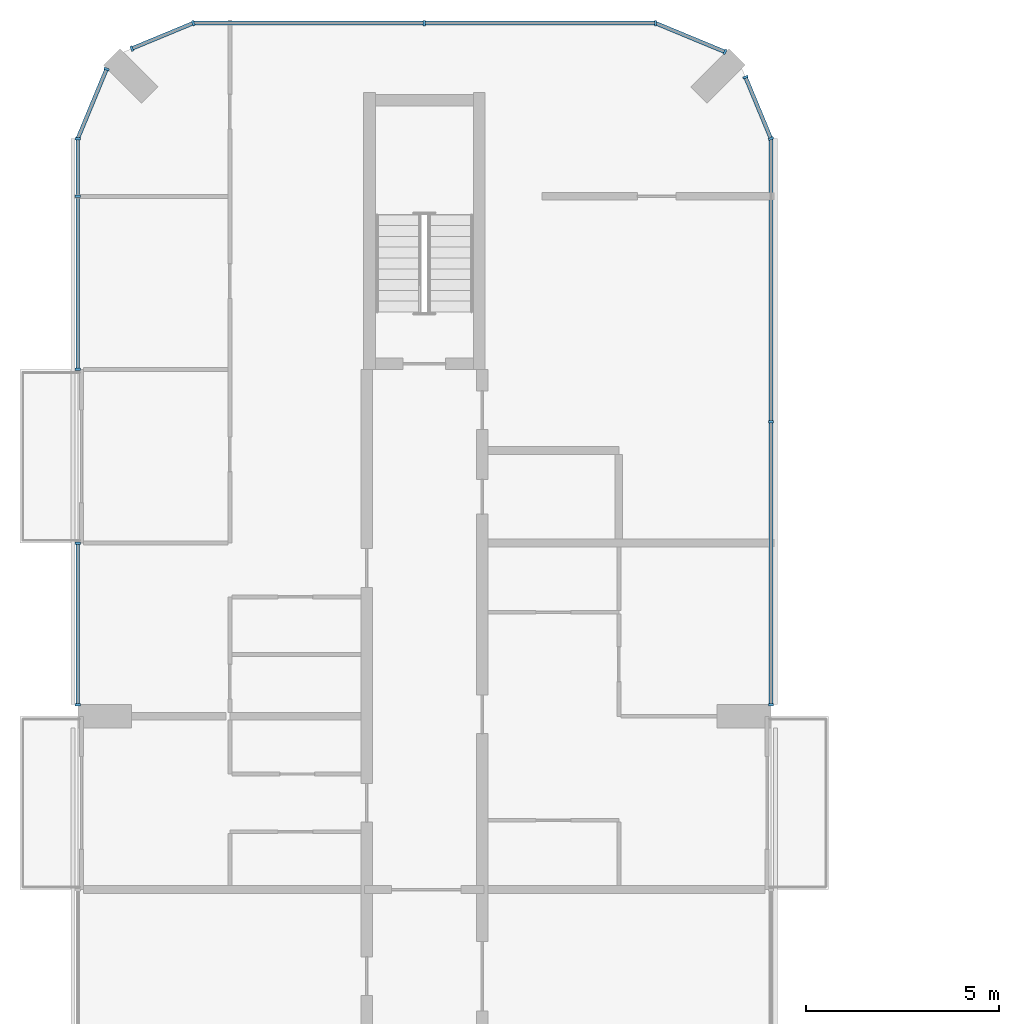
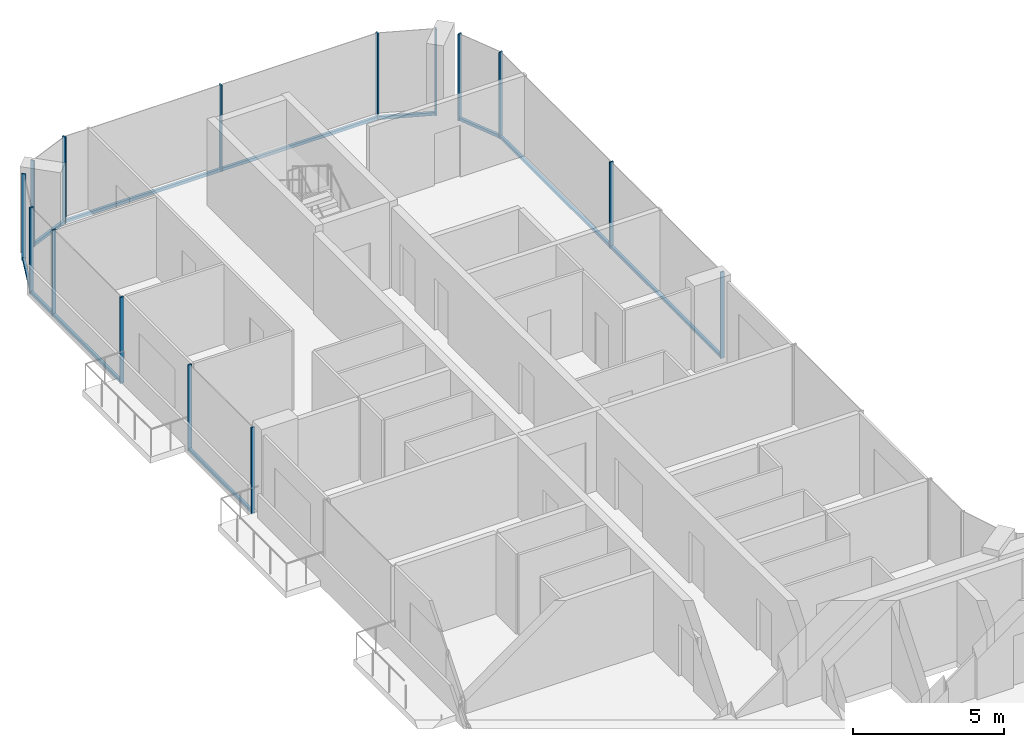
# One storey, part 7 of 16: 23 members, 8 elements without a shape of their own.
"""IFC4 building model written with IfcOpenShell, lengths in metres."""

from ifc_helpers import new_model, si_unit, direction, frame, origin, origin_2d, place, context, subcontext, project, spatial, rectangle, extrude, material, layer, layer_set, material_profile, profile_set, type_object, element, aggregate, save


model = new_model("IFC4")

# Units and contexts
model_context = context("Model", 3, precision=1e-05, world=origin(), true_north=direction((0.0, 1.0)))
body_context = subcontext(model_context, "Body", "Model", "MODEL_VIEW")
ifc_project = project(units=[si_unit("LENGTHUNIT", "METRE"), si_unit("AREAUNIT", "SQUARE_METRE"), si_unit("VOLUMEUNIT", "CUBIC_METRE"), si_unit("PLANEANGLEUNIT", "RADIAN"), si_unit("MASSUNIT", "GRAM", prefix="KILO")], contexts=[model_context])

# Site, building, storey
site_placement = place(None, origin())
site = spatial("IfcSite", under=ifc_project, at=site_placement, CompositionType="ELEMENT")
building_placement = place(site_placement, origin())
building = spatial("IfcBuilding", under=site, at=building_placement, Name="Plateau Cross Towers", CompositionType="ELEMENT")
storey_placement = place(building_placement, frame((0.0, 0.0, 160.39990234375)))
storey = spatial("IfcBuildingStorey", under=building, at=storey_placement, Name="L41", CompositionType="ELEMENT", Elevation=160.39990234375)

# Curtain wall, members
ifc_material_1 = material(Name="Dark low-iron glass", Category="glass")
ifc_layer = layer(ifc_material_1, 0.239990234375)
ifc_layer_set = layer_set([ifc_layer], Name="Dark low-iron glass")
curtain_wall_type = type_object("IfcCurtainWallType", Name="Curtain wall flush unitised CW-B", PredefinedType="NOTDEFINED", material=ifc_layer_set)
curtain_wall_1_placement = place(storey_placement, origin())
curtain_wall_1 = element("IfcCurtainWall", 1, at=curtain_wall_1_placement, inside=storey, type_object=curtain_wall_type, Name="ENV/A/L41/A180_363", PredefinedType="NOTDEFINED")
ifc_material_2 = material(Name="Black anodised aluminium", Category="aluminium")
ifc_material_profile_1 = material_profile(ifc_material_2, rectangle(XDim=0.06005859375, YDim=0.139892578125, at=origin_2d()), Name="MULLION 60x140")
ifc_profile_set_1 = profile_set([ifc_material_profile_1], Name="Black anodised aluminium")
member_type_1 = type_object("IfcMemberType", Name="Mullion 60x140 flush unitised", PredefinedType="MULLION", material=ifc_profile_set_1)
member_1_placement = place(storey_placement, frame((18.0, 36.300048828125, -0.25), z_axis=(0.0, 0.0, 1.0), x_axis=(0.0, 1.0, 0.0)))
member_1 = element("IfcMember", 2, at=member_1_placement, type_object=member_type_1, Name="CW-B mullion 1", PredefinedType="MULLION", context=body_context, shape_type="SweptSolid", body=[
    extrude(rectangle(XDim=0.06005859375, YDim=0.139892578125, at=origin_2d()), origin(), (0.0, 0.0, 1.0), 3.5),
])
member_2_placement = place(storey_placement, frame((18.0, 43.64990234375, -0.25), z_axis=(0.0, 0.0, 1.0), x_axis=(0.0, 1.0, 0.0)))
member_2 = element("IfcMember", 3, at=member_2_placement, type_object=member_type_1, Name="CW-B mullion 2", PredefinedType="MULLION", context=body_context, shape_type="SweptSolid", body=[
    extrude(rectangle(XDim=0.06005859375, YDim=0.139892578125, at=origin_2d()), origin(), (0.0, 0.0, 1.0), 3.5),
])

curtain_wall_2_placement = place(storey_placement, origin())
curtain_wall_2 = element("IfcCurtainWall", 4, at=curtain_wall_2_placement, inside=storey, type_object=curtain_wall_type, Name="ENV/A/L41/A180_510", PredefinedType="NOTDEFINED")
member_3_placement = place(storey_placement, frame((18.0, 51.0, -0.25), z_axis=(0.0, 0.0, 1.0), x_axis=(-0.382683612978, 0.923879457699, 0.0)))
member_3 = element("IfcMember", 5, at=member_3_placement, type_object=member_type_1, Name="CW-B mullion 1", PredefinedType="MULLION", context=body_context, shape_type="SweptSolid", body=[
    extrude(rectangle(XDim=0.06005859375, YDim=0.139892578125, at=origin_2d()), origin(), (0.0, 0.0, 1.0), 3.5),
])
member_4_placement = place(storey_placement, frame((17.338623046875, 52.5966796875, -0.25), z_axis=(0.0, 0.0, 1.0), x_axis=(-0.382683612978, 0.923879457699, 0.0)))
member_4 = element("IfcMember", 6, at=member_4_placement, type_object=member_type_1, Name="CW-B mullion 2", PredefinedType="MULLION", context=body_context, shape_type="SweptSolid", body=[
    extrude(rectangle(XDim=0.06005859375, YDim=0.139892578125, at=origin_2d()), origin(), (0.0, 0.0, 1.0), 3.5),
])

# Curtain wall, member
curtain_wall_3_placement = place(storey_placement, origin())
curtain_wall_3 = element("IfcCurtainWall", 7, at=curtain_wall_3_placement, inside=storey, type_object=curtain_wall_type, Name="ENV/A/L41/A168_533", PredefinedType="NOTDEFINED")
member_5_placement = place(storey_placement, frame((16.805908203125, 53.251953125, -0.25), z_axis=(0.0, 0.0, 1.0), x_axis=(-0.923879457699, 0.382683612978, 0.0)))
member_5 = element("IfcMember", 8, at=member_5_placement, type_object=member_type_1, Name="CW-B mullion 1", PredefinedType="MULLION", context=body_context, shape_type="SweptSolid", body=[
    extrude(rectangle(XDim=0.06005859375, YDim=0.139892578125, at=origin_2d()), origin(), (0.0, 0.0, 1.0), 3.5),
])

# Curtain wall, members
curtain_wall_4_placement = place(storey_placement, origin())
curtain_wall_4 = element("IfcCurtainWall", 9, at=curtain_wall_4_placement, inside=storey, type_object=curtain_wall_type, Name="ENV/A/L41/A150_540", PredefinedType="NOTDEFINED")
member_6_placement = place(storey_placement, frame((15.0, 54.0, -0.25), z_axis=(0.0, 0.0, 1.0), x_axis=(-1.0, 0.0, 0.0)))
member_6 = element("IfcMember", 10, at=member_6_placement, type_object=member_type_1, Name="CW-B mullion 1", PredefinedType="MULLION", context=body_context, shape_type="SweptSolid", body=[
    extrude(rectangle(XDim=0.06005859375, YDim=0.139892578125, at=origin_2d()), origin(), (0.0, 0.0, 1.0), 3.5),
])
member_7_placement = place(storey_placement, frame((9.0, 54.0, -0.25), z_axis=(0.0, 0.0, 1.0), x_axis=(-1.0, 0.0, 0.0)))
member_7 = element("IfcMember", 11, at=member_7_placement, type_object=member_type_1, Name="CW-B mullion 2", PredefinedType="MULLION", context=body_context, shape_type="SweptSolid", body=[
    extrude(rectangle(XDim=0.06005859375, YDim=0.139892578125, at=origin_2d()), origin(), (0.0, 0.0, 1.0), 3.5),
])

curtain_wall_5_placement = place(storey_placement, origin())
curtain_wall_5 = element("IfcCurtainWall", 12, at=curtain_wall_5_placement, inside=storey, type_object=curtain_wall_type, Name="ENV/A/L41/A30_540", PredefinedType="NOTDEFINED")
member_8_placement = place(storey_placement, frame((3.0, 54.0, -0.25), z_axis=(0.0, 0.0, 1.0), x_axis=(-0.923879457699, -0.382683612978, 0.0)))
member_8 = element("IfcMember", 13, at=member_8_placement, type_object=member_type_1, Name="CW-B mullion 1", PredefinedType="MULLION", context=body_context, shape_type="SweptSolid", body=[
    extrude(rectangle(XDim=0.06005859375, YDim=0.139892578125, at=origin_2d()), origin(), (0.0, 0.0, 1.0), 3.5),
])
member_9_placement = place(storey_placement, frame((1.4033203125, 53.338623046875, -0.25), z_axis=(0.0, 0.0, 1.0), x_axis=(-0.923879457699, -0.382683612978, 0.0)))
member_9 = element("IfcMember", 14, at=member_9_placement, type_object=member_type_1, Name="CW-B mullion 2", PredefinedType="MULLION", context=body_context, shape_type="SweptSolid", body=[
    extrude(rectangle(XDim=0.06005859375, YDim=0.139892578125, at=origin_2d()), origin(), (0.0, 0.0, 1.0), 3.5),
])

# Curtain wall, member
curtain_wall_6_placement = place(storey_placement, origin())
curtain_wall_6 = element("IfcCurtainWall", 15, at=curtain_wall_6_placement, inside=storey, type_object=curtain_wall_type, Name="ENV/A/L41/A7_528", PredefinedType="NOTDEFINED")
member_10_placement = place(storey_placement, frame((0.748046875, 52.805908203125, -0.25), z_axis=(0.0, 0.0, 1.0), x_axis=(-0.382683612978, -0.923879457699, 0.0)))
member_10 = element("IfcMember", 16, at=member_10_placement, type_object=member_type_1, Name="CW-B mullion 1", PredefinedType="MULLION", context=body_context, shape_type="SweptSolid", body=[
    extrude(rectangle(XDim=0.06005859375, YDim=0.139892578125, at=origin_2d()), origin(), (0.0, 0.0, 1.0), 3.5),
])

# Curtain wall, members
curtain_wall_7_placement = place(storey_placement, origin())
curtain_wall_7 = element("IfcCurtainWall", 17, at=curtain_wall_7_placement, inside=storey, type_object=curtain_wall_type, Name="ENV/A/L41/A0_510", PredefinedType="NOTDEFINED")
member_11_placement = place(storey_placement, frame((0.0, 51.0, -0.25), z_axis=(0.0, 0.0, 1.0), x_axis=(0.0, -1.0, 0.0)))
member_11 = element("IfcMember", 18, at=member_11_placement, type_object=member_type_1, Name="CW-B mullion 1", PredefinedType="MULLION", context=body_context, shape_type="SweptSolid", body=[
    extrude(rectangle(XDim=0.06005859375, YDim=0.139892578125, at=origin_2d()), origin(), (0.0, 0.0, 1.0), 3.5),
])
member_12_placement = place(storey_placement, frame((0.0, 49.5, -0.25), z_axis=(0.0, 0.0, 1.0), x_axis=(0.0, -1.0, 0.0)))
member_12 = element("IfcMember", 19, at=member_12_placement, type_object=member_type_1, Name="CW-B mullion 2", PredefinedType="MULLION", context=body_context, shape_type="SweptSolid", body=[
    extrude(rectangle(XDim=0.06005859375, YDim=0.139892578125, at=origin_2d()), origin(), (0.0, 0.0, 1.0), 3.5),
])
member_13_placement = place(storey_placement, frame((0.0, 45.010009765625, -0.25), z_axis=(0.0, 0.0, 1.0), x_axis=(0.0, -1.0, 0.0)))
member_13 = element("IfcMember", 20, at=member_13_placement, type_object=member_type_1, Name="CW-B mullion 3", PredefinedType="MULLION", context=body_context, shape_type="SweptSolid", body=[
    extrude(rectangle(XDim=0.06005859375, YDim=0.139892578125, at=origin_2d()), origin(), (0.0, 0.0, 1.0), 3.5),
])

curtain_wall_8_placement = place(storey_placement, origin())
curtain_wall_8 = element("IfcCurtainWall", 21, at=curtain_wall_8_placement, inside=storey, type_object=curtain_wall_type, Name="ENV/A/L41/A0_405", PredefinedType="NOTDEFINED")
member_14_placement = place(storey_placement, frame((0.0, 40.489990234375, -0.25), z_axis=(0.0, 0.0, 1.0), x_axis=(0.0, -1.0, 0.0)))
member_14 = element("IfcMember", 22, at=member_14_placement, type_object=member_type_1, Name="CW-B mullion 1", PredefinedType="MULLION", context=body_context, shape_type="SweptSolid", body=[
    extrude(rectangle(XDim=0.06005859375, YDim=0.139892578125, at=origin_2d()), origin(), (0.0, 0.0, 1.0), 3.5),
])
member_15_placement = place(storey_placement, frame((0.0, 36.300048828125, -0.25), z_axis=(0.0, 0.0, 1.0), x_axis=(0.0, -1.0, 0.0)))
member_15 = element("IfcMember", 23, at=member_15_placement, type_object=member_type_1, Name="CW-B mullion 2", PredefinedType="MULLION", context=body_context, shape_type="SweptSolid", body=[
    extrude(rectangle(XDim=0.06005859375, YDim=0.139892578125, at=origin_2d()), origin(), (0.0, 0.0, 1.0), 3.5),
])

# Member
ifc_material_profile_2 = material_profile(ifc_material_2, rectangle(XDim=0.10009765625, YDim=0.1201171875, at=origin_2d()), Name="TRANSOM 100x120")
ifc_profile_set_2 = profile_set([ifc_material_profile_2], Name="Black anodised aluminium")
member_type_2 = type_object("IfcMemberType", Name="Transom 100x120 flush unitised", PredefinedType="USERDEFINED", material=ifc_profile_set_2)
member_16_placement = place(storey_placement, frame((18.0, 36.300048828125, -0.18994140625), z_axis=(0.0, 1.0, 0.0), x_axis=(-1.0, 0.0, 0.0)))
member_16 = element("IfcMember", 24, at=member_16_placement, type_object=member_type_2, Name="CW-B transom", ObjectType="TRANSOM", PredefinedType="USERDEFINED", context=body_context, shape_type="SweptSolid", body=[
    extrude(rectangle(XDim=0.10009765625, YDim=0.1201171875, at=origin_2d()), origin(), (0.0, 0.0, 1.0), 14.699951171875),
])

aggregate(curtain_wall_1, [member_1, member_2, member_16])

member_17_placement = place(storey_placement, frame((18.0, 51.0, -0.18994140625), z_axis=(-0.382688653628, 0.923877369776, 0.0), x_axis=(-0.923877369776, -0.382688653628, 0.0)))
member_17 = element("IfcMember", 25, at=member_17_placement, type_object=member_type_2, Name="CW-B transom", ObjectType="TRANSOM", PredefinedType="USERDEFINED", context=body_context, shape_type="SweptSolid", body=[
    extrude(rectangle(XDim=0.10009765625, YDim=0.1201171875, at=origin_2d()), origin(), (0.0, 0.0, 1.0), 1.728271484375),
])

aggregate(curtain_wall_2, [member_3, member_4, member_17])

member_18_placement = place(storey_placement, frame((16.805908203125, 53.251953125, -0.18994140625), z_axis=(-0.92387678234, 0.382690071798, 0.0), x_axis=(-0.382690071798, -0.92387678234, 0.0)))
member_18 = element("IfcMember", 26, at=member_18_placement, type_object=member_type_2, Name="CW-B transom", ObjectType="TRANSOM", PredefinedType="USERDEFINED", context=body_context, shape_type="SweptSolid", body=[
    extrude(rectangle(XDim=0.10009765625, YDim=0.1201171875, at=origin_2d()), origin(), (0.0, 0.0, 1.0), 1.95458984375),
])

aggregate(curtain_wall_3, [member_5, member_18])

member_19_placement = place(storey_placement, frame((15.0, 54.0, -0.18994140625), z_axis=(-1.0, 0.0, 0.0), x_axis=(0.0, -1.0, 0.0)))
member_19 = element("IfcMember", 27, at=member_19_placement, type_object=member_type_2, Name="CW-B transom", ObjectType="TRANSOM", PredefinedType="USERDEFINED", context=body_context, shape_type="SweptSolid", body=[
    extrude(rectangle(XDim=0.10009765625, YDim=0.1201171875, at=origin_2d()), origin(), (0.0, 0.0, 1.0), 12.0),
])

aggregate(curtain_wall_4, [member_6, member_7, member_19])

member_20_placement = place(storey_placement, frame((3.0, 54.0, -0.18994140625), z_axis=(-0.923877369776, -0.382688653628, 0.0), x_axis=(0.382688653628, -0.923877369776, 0.0)))
member_20 = element("IfcMember", 28, at=member_20_placement, type_object=member_type_2, Name="CW-B transom", ObjectType="TRANSOM", PredefinedType="USERDEFINED", context=body_context, shape_type="SweptSolid", body=[
    extrude(rectangle(XDim=0.10009765625, YDim=0.1201171875, at=origin_2d()), origin(), (0.0, 0.0, 1.0), 1.728271484375),
])

aggregate(curtain_wall_5, [member_8, member_9, member_20])

member_21_placement = place(storey_placement, frame((0.748046875, 52.805908203125, -0.18994140625), z_axis=(-0.382690071798, -0.92387678234, 0.0), x_axis=(0.92387678234, -0.382690071798, 0.0)))
member_21 = element("IfcMember", 29, at=member_21_placement, type_object=member_type_2, Name="CW-B transom", ObjectType="TRANSOM", PredefinedType="USERDEFINED", context=body_context, shape_type="SweptSolid", body=[
    extrude(rectangle(XDim=0.10009765625, YDim=0.1201171875, at=origin_2d()), origin(), (0.0, 0.0, 1.0), 1.95458984375),
])

aggregate(curtain_wall_6, [member_10, member_21])

member_22_placement = place(storey_placement, frame((0.0, 51.0, -0.18994140625), z_axis=(0.0, -1.0, 0.0), x_axis=(1.0, 0.0, 0.0)))
member_22 = element("IfcMember", 30, at=member_22_placement, type_object=member_type_2, Name="CW-B transom", ObjectType="TRANSOM", PredefinedType="USERDEFINED", context=body_context, shape_type="SweptSolid", body=[
    extrude(rectangle(XDim=0.10009765625, YDim=0.1201171875, at=origin_2d()), origin(), (0.0, 0.0, 1.0), 5.989990234375),
])

aggregate(curtain_wall_7, [member_11, member_12, member_13, member_22])

member_23_placement = place(storey_placement, frame((0.0, 40.489990234375, -0.18994140625), z_axis=(0.0, -1.0, 0.0), x_axis=(1.0, 0.0, 0.0)))
member_23 = element("IfcMember", 31, at=member_23_placement, type_object=member_type_2, Name="CW-B transom", ObjectType="TRANSOM", PredefinedType="USERDEFINED", context=body_context, shape_type="SweptSolid", body=[
    extrude(rectangle(XDim=0.10009765625, YDim=0.1201171875, at=origin_2d()), origin(), (0.0, 0.0, 1.0), 4.18994140625),
])

aggregate(curtain_wall_8, [member_14, member_15, member_23])

save(model, "model.ifc")
